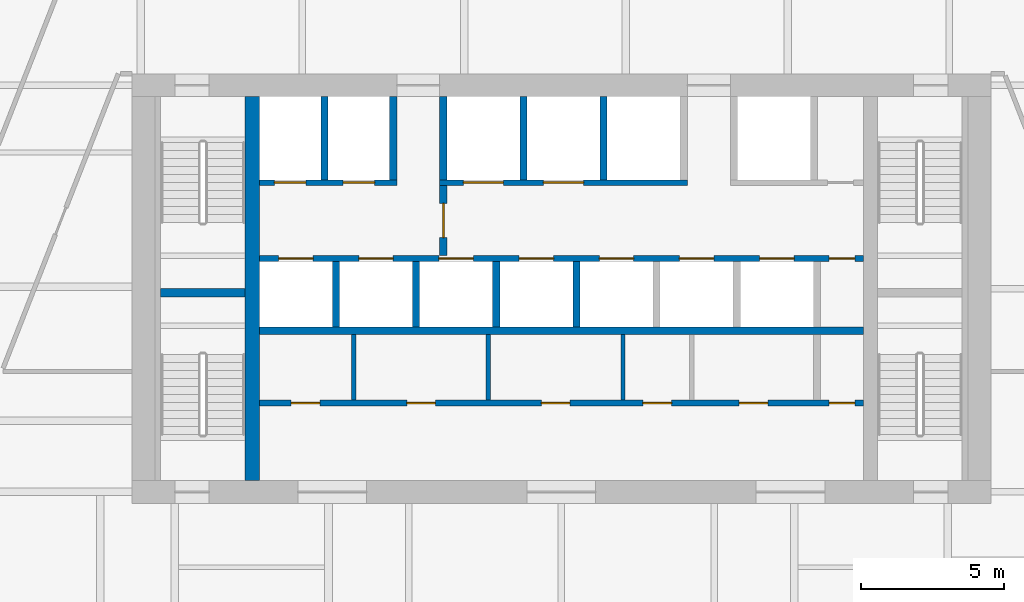
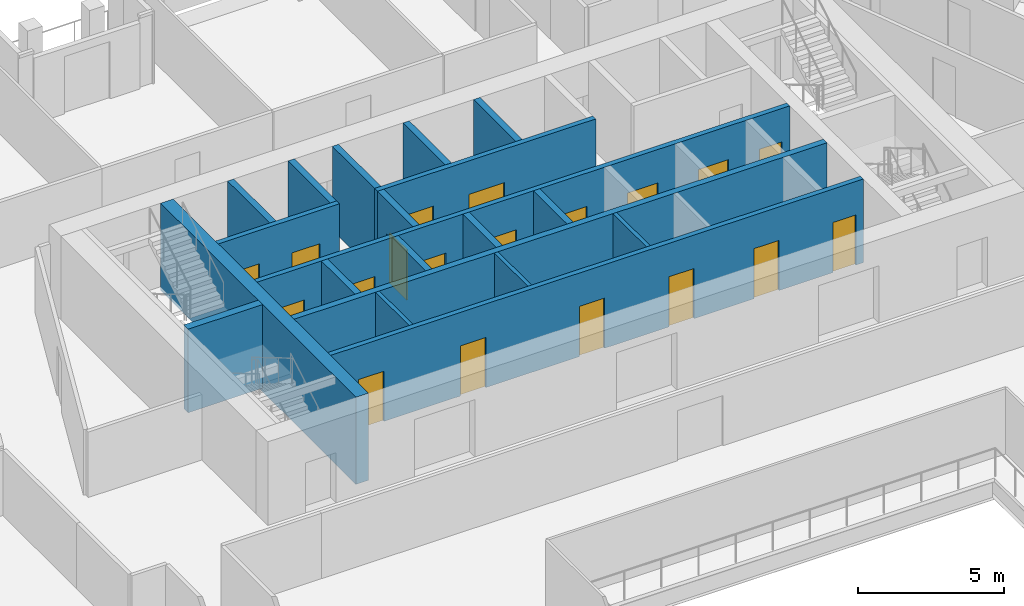
# One storey, part 20 of 26: 20 walls, 19 doors, 19 openings.
"""IFC4 building model written with IfcOpenShell, lengths in metres."""

from ifc_helpers import new_model, si_unit, direction, frame, frame_2d, origin, place, context, subcontext, project, spatial, rectangle, extrude, material, layer, layer_set, type_object, element, fill, save


model = new_model("IFC4")

# Units and contexts
model_context = context("Model", 3, precision=1e-05, world=origin(), true_north=direction((0.0, 1.0)))
body_context = subcontext(model_context, "Body", "Model", "MODEL_VIEW")
ifc_project = project(units=[si_unit("LENGTHUNIT", "METRE"), si_unit("AREAUNIT", "SQUARE_METRE"), si_unit("VOLUMEUNIT", "CUBIC_METRE"), si_unit("PLANEANGLEUNIT", "RADIAN"), si_unit("MASSUNIT", "GRAM", prefix="KILO")], contexts=[model_context])

# Site, building, storey
site_placement = place(None, origin())
site = spatial("IfcSite", under=ifc_project, at=site_placement, CompositionType="ELEMENT")
building_placement = place(site_placement, origin())
building = spatial("IfcBuilding", under=site, at=building_placement, Name="Isthmus Gate Tower", CompositionType="ELEMENT")
storey_placement = place(building_placement, frame((0.0, 0.0, 129.800048828125)))
storey = spatial("IfcBuildingStorey", under=building, at=storey_placement, Name="L31", CompositionType="ELEMENT", Elevation=129.800048828125)

# Wall, opening, door
ifc_material_1 = material(Name="Fire-rated blockwork masonry, 15 MPa", Category="masonry")
ifc_layer_1 = layer(ifc_material_1, 0.25)
ifc_layer_set_1 = layer_set([ifc_layer_1], Name="FIRE-FIGHTING LOBBY WALL 250 90 MIN")
wall_type_1 = type_object("IfcWallType", Name="FIRE-FIGHTING LOBBY WALL 250 90 MIN", PredefinedType="PARTITIONING", material=ifc_layer_set_1)
wall_1_placement = place(storey_placement, frame((-4.125, 8.64990234375, 0.0), z_axis=(0.0, 0.0, 1.0), x_axis=(0.0, 1.0, 0.0)))
wall_1 = element("IfcWall", 1, at=wall_1_placement, inside=storey, type_object=wall_type_1, Name="L31 FIRE-FIGHTING LOBBY WALL 250 90 MIN", PredefinedType="PARTITIONING", context=body_context, shape_type="SweptSolid", body=[
    extrude(rectangle(XDim=2.4501953125, YDim=0.25, at=frame_2d((1.22509765625, 0.0))), origin(), (0.0, 0.0, 1.0), 3.5),
])
opening_1_placement = place(wall_1_placement, frame((0.625, 0.0, 0.0)))
opening_1 = element("IfcOpeningElement", 2, at=opening_1_placement, cuts=wall_1, Name="Opening DC-A10-01", PredefinedType="OPENING", context=body_context, shape_type="SweptSolid", body=[
    extrude(rectangle(XDim=1.199951171875, YDim=2.10009765625, at=frame_2d((0.60009765625, 1.050048828125))), frame((0.0, 0.135009765625, 0.0), z_axis=(0.0, -1.0, 0.0), x_axis=(1.0, 0.0, 0.0)), (0.0, 0.0, 1.0), 0.27001953125),
])
ifc_material_2 = material(Name="Steel door leaf, fire-rated", Category="steel")
door_type_1 = type_object("IfcDoorType", Name="LOBBY FIRE DOOR 1200 X 2100 90 MIN", OperationType="DOUBLE_DOOR_SINGLE_SWING", PredefinedType="DOOR", material=ifc_material_2)
door_1_placement = place(opening_1_placement, origin())
door_1 = element("IfcDoor", 3, at=door_1_placement, inside=storey, type_object=door_type_1, Name="Fire-fighting Lobby Door", OperationType="SINGLE_SWING_LEFT", OverallHeight=2.10009765625, OverallWidth=1.199951171875, PredefinedType="DOOR", context=body_context, shape_type="SweptSolid", body=[
    extrude(rectangle(XDim=1.199951171875, YDim=2.10009765625, at=frame_2d((0.60009765625, 1.050048828125))), frame((0.0, 0.02490234375, 0.0), z_axis=(0.0, -1.0, 0.0), x_axis=(1.0, 0.0, 0.0)), (0.0, 0.0, 1.0), 0.050048828125),
])
fill(opening_1, door_1)

# Walls
ifc_material_3 = material(Name="Concrete f'c 60 MPa", Category="concrete")
ifc_layer_2 = layer(ifc_material_3, 0.5)
ifc_layer_set_2 = layer_set([ifc_layer_2], Name="RC CORE SPINE WALL 500 F'C 60")
wall_type_2 = type_object("IfcWallType", Name="RC CORE SPINE WALL 500 F'C 60", PredefinedType="SOLIDWALL", material=ifc_layer_set_2)
wall_2_placement = place(storey_placement, frame((-10.800048828125, 0.800048828125, -0.150146484375), z_axis=(0.0, 0.0, 1.0), x_axis=(0.0, 1.0, 0.0)))
element("IfcWall", 4, at=wall_2_placement, inside=storey, type_object=wall_type_2, Name="str-corewall-L31-SPW", PredefinedType="SOLIDWALL", context=body_context, shape_type="SweptSolid", body=[
    extrude(rectangle(XDim=13.39990234375, YDim=0.5, at=frame_2d((6.699951171875, 0.0))), origin(), (0.0, 0.0, 1.0), 3.650146484375),
])
ifc_material_4 = material(Name="Gypsum board on steel studs, fire-rated", Category="steel")
ifc_layer_3 = layer(ifc_material_4, 0.14990234375)
ifc_layer_set_3 = layer_set([ifc_layer_3], Name="ROOM PARTITION 150 60 MIN")
wall_type_3 = type_object("IfcWallType", Name="ROOM PARTITION 150 60 MIN", PredefinedType="PARTITIONING", material=ifc_layer_set_3)
for number, where, z_axis, x_axis, name in (
    (5, (-7.25, 3.60009765625, 0.0), (0.0, 0.0, 1.0), (0.0, 1.0, 0.0), "L31 ROOM PARTITION 150 60 MIN"),
    (6, (-2.550048828125, 3.60009765625, 0.0), (0.0, 0.0, 1.0), (0.0, 1.0, 0.0), "L31 ROOM PARTITION 150 60 MIN"),
    (7, (2.14990234375, 3.60009765625, 0.0), (0.0, 0.0, 1.0), (0.0, 1.0, 0.0), "L31 ROOM PARTITION 150 60 MIN"),
):
    element("IfcWall", number, at=place(storey_placement, frame(where, z_axis=z_axis, x_axis=x_axis)), inside=storey, type_object=wall_type_3, Name=name, PredefinedType="PARTITIONING", context=body_context, shape_type="SweptSolid", body=[
        extrude(rectangle(XDim=2.2998046875, YDim=0.14990234375, at=frame_2d((1.14990234375, 0.0))), origin(), (0.0, 0.0, 1.0), 3.5),
    ])

# Wall, openings, doors
ifc_material_5 = material(Name="Fire-rated blockwork masonry, 15 MPa", Category="masonry")
ifc_layer_4 = layer(ifc_material_5, 0.199951171875)
ifc_layer_set_4 = layer_set([ifc_layer_4], Name="SHAFT FRONT WALL 200 120 MIN")
wall_type_4 = type_object("IfcWallType", Name="SHAFT FRONT WALL 200 120 MIN", PredefinedType="PARTITIONING", material=ifc_layer_set_4)
wall_3_placement = place(storey_placement, frame((-10.550048828125, 3.5, 0.0), z_axis=(0.0, 0.0, 1.0), x_axis=(1.0, 0.0, 0.0)))
wall_3 = element("IfcWall", 8, at=wall_3_placement, inside=storey, type_object=wall_type_4, Name="L31 SHAFT FRONT WALL 200 120 MIN", PredefinedType="PARTITIONING", context=body_context, shape_type="SweptSolid", body=[
    extrude(rectangle(XDim=21.10009765625, YDim=0.199951171875, at=frame_2d((10.550048828125, 0.0))), origin(), (0.0, 0.0, 1.0), 3.5),
])
opening_2_placement = place(wall_3_placement, frame((1.112548828125, 0.0, 0.0)))
opening_2 = element("IfcOpeningElement", 9, at=opening_2_placement, cuts=wall_3, Name="Opening DC-A10-02", PredefinedType="OPENING", context=body_context, shape_type="SweptSolid", body=[
    extrude(rectangle(XDim=1.0, YDim=2.10009765625, at=frame_2d((0.5, 1.050048828125))), frame((0.0, 0.10986328125, 0.0), z_axis=(0.0, -1.0, 0.0), x_axis=(1.0, 0.0, 0.0)), (0.0, 0.0, 1.0), 0.219970703125),
])
opening_3_placement = place(wall_3_placement, frame((5.14990234375, 0.0, 0.0)))
opening_3 = element("IfcOpeningElement", 10, at=opening_3_placement, cuts=wall_3, Name="Opening DC-A10-03", PredefinedType="OPENING", context=body_context, shape_type="SweptSolid", body=[
    extrude(rectangle(XDim=1.0, YDim=2.10009765625, at=frame_2d((0.5, 1.050048828125))), frame((0.0, 0.10986328125, 0.0), z_axis=(0.0, -1.0, 0.0), x_axis=(1.0, 0.0, 0.0)), (0.0, 0.0, 1.0), 0.219970703125),
])
opening_4_placement = place(wall_3_placement, frame((9.85009765625, 0.0, 0.0)))
opening_4 = element("IfcOpeningElement", 11, at=opening_4_placement, cuts=wall_3, Name="Opening DC-A10-04", PredefinedType="OPENING", context=body_context, shape_type="SweptSolid", body=[
    extrude(rectangle(XDim=1.0, YDim=2.10009765625, at=frame_2d((0.5, 1.050048828125))), frame((0.0, 0.10986328125, 0.0), z_axis=(0.0, -1.0, 0.0), x_axis=(1.0, 0.0, 0.0)), (0.0, 0.0, 1.0), 0.219970703125),
])
opening_5_placement = place(wall_3_placement, frame((13.39990234375, 0.0, 0.0)))
opening_5 = element("IfcOpeningElement", 12, at=opening_5_placement, cuts=wall_3, Name="Opening DC-A10-05", PredefinedType="OPENING", context=body_context, shape_type="SweptSolid", body=[
    extrude(rectangle(XDim=1.0, YDim=2.10009765625, at=frame_2d((0.5, 1.050048828125))), frame((0.0, 0.10986328125, 0.0), z_axis=(0.0, -1.0, 0.0), x_axis=(1.0, 0.0, 0.0)), (0.0, 0.0, 1.0), 0.219970703125),
])
opening_6_placement = place(wall_3_placement, frame((16.762451171875, 0.0, 0.0)))
opening_6 = element("IfcOpeningElement", 13, at=opening_6_placement, cuts=wall_3, Name="Opening DC-A10-06", PredefinedType="OPENING", context=body_context, shape_type="SweptSolid", body=[
    extrude(rectangle(XDim=1.0, YDim=2.10009765625, at=frame_2d((0.5, 1.050048828125))), frame((0.0, 0.10986328125, 0.0), z_axis=(0.0, -1.0, 0.0), x_axis=(1.0, 0.0, 0.0)), (0.0, 0.0, 1.0), 0.219970703125),
])
opening_7_placement = place(wall_3_placement, frame((19.89990234375, 0.0, 0.0)))
opening_7 = element("IfcOpeningElement", 14, at=opening_7_placement, cuts=wall_3, Name="Opening DC-A10-07", PredefinedType="OPENING", context=body_context, shape_type="SweptSolid", body=[
    extrude(rectangle(XDim=0.89990234375, YDim=2.10009765625, at=frame_2d((0.449951171875, 1.050048828125))), frame((0.0, 0.10986328125, 0.0), z_axis=(0.0, -1.0, 0.0), x_axis=(1.0, 0.0, 0.0)), (0.0, 0.0, 1.0), 0.219970703125),
])
ifc_material_6 = material(Name="Steel door leaf, fire-rated", Category="steel")
door_type_2 = type_object("IfcDoorType", Name="FIRE DOOR 1000 X 2100 60 MIN", OperationType="SINGLE_SWING_LEFT", PredefinedType="DOOR", material=ifc_material_6)
door_2_placement = place(opening_2_placement, origin())
door_2 = element("IfcDoor", 15, at=door_2_placement, inside=storey, type_object=door_type_2, Name="Janitor Store Door", OperationType="SINGLE_SWING_LEFT", OverallHeight=2.10009765625, OverallWidth=1.0, PredefinedType="DOOR", context=body_context, shape_type="SweptSolid", body=[
    extrude(rectangle(XDim=1.0, YDim=2.10009765625, at=frame_2d((0.5, 1.050048828125))), frame((0.0, 0.02490234375, 0.0), z_axis=(0.0, -1.0, 0.0), x_axis=(1.0, 0.0, 0.0)), (0.0, 0.0, 1.0), 0.050048828125),
])
fill(opening_2, door_2)
door_3_placement = place(opening_3_placement, origin())
door_3 = element("IfcDoor", 16, at=door_3_placement, inside=storey, type_object=door_type_2, Name="WC Women Door", OperationType="SINGLE_SWING_RIGHT", OverallHeight=2.10009765625, OverallWidth=1.0, PredefinedType="DOOR", context=body_context, shape_type="SweptSolid", body=[
    extrude(rectangle(XDim=1.0, YDim=2.10009765625, at=frame_2d((0.5, 1.050048828125))), frame((0.0, 0.02490234375, 0.0), z_axis=(0.0, -1.0, 0.0), x_axis=(1.0, 0.0, 0.0)), (0.0, 0.0, 1.0), 0.050048828125),
])
fill(opening_3, door_3)
door_4_placement = place(opening_4_placement, origin())
door_4 = element("IfcDoor", 17, at=door_4_placement, inside=storey, type_object=door_type_2, Name="WC Men Door", OperationType="SINGLE_SWING_LEFT", OverallHeight=2.10009765625, OverallWidth=1.0, PredefinedType="DOOR", context=body_context, shape_type="SweptSolid", body=[
    extrude(rectangle(XDim=1.0, YDim=2.10009765625, at=frame_2d((0.5, 1.050048828125))), frame((0.0, 0.02490234375, 0.0), z_axis=(0.0, -1.0, 0.0), x_axis=(1.0, 0.0, 0.0)), (0.0, 0.0, 1.0), 0.050048828125),
])
fill(opening_4, door_4)
door_5_placement = place(opening_5_placement, origin())
door_5 = element("IfcDoor", 18, at=door_5_placement, inside=storey, type_object=door_type_2, Name="Accessible WC Door", OperationType="SINGLE_SWING_RIGHT", OverallHeight=2.10009765625, OverallWidth=1.0, PredefinedType="DOOR", context=body_context, shape_type="SweptSolid", body=[
    extrude(rectangle(XDim=1.0, YDim=2.10009765625, at=frame_2d((0.5, 1.050048828125))), frame((0.0, 0.02490234375, 0.0), z_axis=(0.0, -1.0, 0.0), x_axis=(1.0, 0.0, 0.0)), (0.0, 0.0, 1.0), 0.050048828125),
])
fill(opening_5, door_5)
door_6_placement = place(opening_6_placement, origin())
door_6 = element("IfcDoor", 19, at=door_6_placement, inside=storey, type_object=door_type_2, Name="Print Room Door", OperationType="SINGLE_SWING_LEFT", OverallHeight=2.10009765625, OverallWidth=1.0, PredefinedType="DOOR", context=body_context, shape_type="SweptSolid", body=[
    extrude(rectangle(XDim=1.0, YDim=2.10009765625, at=frame_2d((0.5, 1.050048828125))), frame((0.0, 0.02490234375, 0.0), z_axis=(0.0, -1.0, 0.0), x_axis=(1.0, 0.0, 0.0)), (0.0, 0.0, 1.0), 0.050048828125),
])
fill(opening_6, door_6)
ifc_material_7 = material(Name="Steel door leaf, fire-rated", Category="steel")
door_type_3 = type_object("IfcDoorType", Name="RISER FIRE DOOR 900 X 2100 90 MIN", OperationType="SINGLE_SWING_LEFT", PredefinedType="DOOR", material=ifc_material_7)
door_7_placement = place(opening_7_placement, origin())
door_7 = element("IfcDoor", 20, at=door_7_placement, inside=storey, type_object=door_type_3, Name="Riser Door", OperationType="SINGLE_SWING_RIGHT", OverallHeight=2.10009765625, OverallWidth=0.89990234375, PredefinedType="DOOR", context=body_context, shape_type="SweptSolid", body=[
    extrude(rectangle(XDim=0.89990234375, YDim=2.10009765625, at=frame_2d((0.449951171875, 1.050048828125))), frame((0.0, 0.02490234375, 0.0), z_axis=(0.0, -1.0, 0.0), x_axis=(1.0, 0.0, 0.0)), (0.0, 0.0, 1.0), 0.050048828125),
])
fill(opening_7, door_7)

wall_4_placement = place(storey_placement, frame((-10.550048828125, 8.550048828125, 0.0), z_axis=(0.0, 0.0, 1.0), x_axis=(1.0, 0.0, 0.0)))
wall_4 = element("IfcWall", 21, at=wall_4_placement, inside=storey, type_object=wall_type_4, Name="L31 SHAFT FRONT WALL 200 120 MIN", PredefinedType="PARTITIONING", context=body_context, shape_type="SweptSolid", body=[
    extrude(rectangle(XDim=21.10009765625, YDim=0.199951171875, at=frame_2d((10.550048828125, 0.0))), origin(), (0.0, 0.0, 1.0), 3.5),
])
opening_8_placement = place(wall_4_placement, frame((0.675048828125, 0.0, 0.0)))
opening_8 = element("IfcOpeningElement", 22, at=opening_8_placement, cuts=wall_4, Name="Opening LD-LB1", PredefinedType="OPENING", context=body_context, shape_type="SweptSolid", body=[
    extrude(rectangle(XDim=1.199951171875, YDim=2.10009765625, at=frame_2d((0.60009765625, 1.050048828125))), frame((0.0, 0.10986328125, 0.0), z_axis=(0.0, -1.0, 0.0), x_axis=(1.0, 0.0, 0.0)), (0.0, 0.0, 1.0), 0.219970703125),
])
opening_9_placement = place(wall_4_placement, frame((3.47509765625, 0.0, 0.0)))
opening_9 = element("IfcOpeningElement", 23, at=opening_9_placement, cuts=wall_4, Name="Opening LD-LB2", PredefinedType="OPENING", context=body_context, shape_type="SweptSolid", body=[
    extrude(rectangle(XDim=1.199951171875, YDim=2.10009765625, at=frame_2d((0.60009765625, 1.050048828125))), frame((0.0, 0.10986328125, 0.0), z_axis=(0.0, -1.0, 0.0), x_axis=(1.0, 0.0, 0.0)), (0.0, 0.0, 1.0), 0.219970703125),
])
opening_10_placement = place(wall_4_placement, frame((6.27490234375, 0.0, 0.0)))
opening_10 = element("IfcOpeningElement", 24, at=opening_10_placement, cuts=wall_4, Name="Opening LD-LB3", PredefinedType="OPENING", context=body_context, shape_type="SweptSolid", body=[
    extrude(rectangle(XDim=1.199951171875, YDim=2.10009765625, at=frame_2d((0.60009765625, 1.050048828125))), frame((0.0, 0.10986328125, 0.0), z_axis=(0.0, -1.0, 0.0), x_axis=(1.0, 0.0, 0.0)), (0.0, 0.0, 1.0), 0.219970703125),
])
opening_11_placement = place(wall_4_placement, frame((9.074951171875, 0.0, 0.0)))
opening_11 = element("IfcOpeningElement", 25, at=opening_11_placement, cuts=wall_4, Name="Opening LD-LB4", PredefinedType="OPENING", context=body_context, shape_type="SweptSolid", body=[
    extrude(rectangle(XDim=1.199951171875, YDim=2.10009765625, at=frame_2d((0.60009765625, 1.050048828125))), frame((0.0, 0.10986328125, 0.0), z_axis=(0.0, -1.0, 0.0), x_axis=(1.0, 0.0, 0.0)), (0.0, 0.0, 1.0), 0.219970703125),
])
opening_12_placement = place(wall_4_placement, frame((11.875, 0.0, 0.0)))
opening_12 = element("IfcOpeningElement", 26, at=opening_12_placement, cuts=wall_4, Name="Opening LD-LB5", PredefinedType="OPENING", context=body_context, shape_type="SweptSolid", body=[
    extrude(rectangle(XDim=1.199951171875, YDim=2.10009765625, at=frame_2d((0.60009765625, 1.050048828125))), frame((0.0, 0.10986328125, 0.0), z_axis=(0.0, -1.0, 0.0), x_axis=(1.0, 0.0, 0.0)), (0.0, 0.0, 1.0), 0.219970703125),
])
opening_13_placement = place(wall_4_placement, frame((14.675048828125, 0.0, 0.0)))
opening_13 = element("IfcOpeningElement", 27, at=opening_13_placement, cuts=wall_4, Name="Opening LD-LB6", PredefinedType="OPENING", context=body_context, shape_type="SweptSolid", body=[
    extrude(rectangle(XDim=1.199951171875, YDim=2.10009765625, at=frame_2d((0.60009765625, 1.050048828125))), frame((0.0, 0.10986328125, 0.0), z_axis=(0.0, -1.0, 0.0), x_axis=(1.0, 0.0, 0.0)), (0.0, 0.0, 1.0), 0.219970703125),
])
opening_14_placement = place(wall_4_placement, frame((17.47509765625, 0.0, 0.0)))
opening_14 = element("IfcOpeningElement", 28, at=opening_14_placement, cuts=wall_4, Name="Opening LD-LB7", PredefinedType="OPENING", context=body_context, shape_type="SweptSolid", body=[
    extrude(rectangle(XDim=1.199951171875, YDim=2.10009765625, at=frame_2d((0.60009765625, 1.050048828125))), frame((0.0, 0.10986328125, 0.0), z_axis=(0.0, -1.0, 0.0), x_axis=(1.0, 0.0, 0.0)), (0.0, 0.0, 1.0), 0.219970703125),
])
opening_15_placement = place(wall_4_placement, frame((19.89990234375, 0.0, 0.0)))
opening_15 = element("IfcOpeningElement", 29, at=opening_15_placement, cuts=wall_4, Name="Opening DC-A10-08", PredefinedType="OPENING", context=body_context, shape_type="SweptSolid", body=[
    extrude(rectangle(XDim=0.89990234375, YDim=2.10009765625, at=frame_2d((0.449951171875, 1.050048828125))), frame((0.0, 0.10986328125, 0.0), z_axis=(0.0, -1.0, 0.0), x_axis=(1.0, 0.0, 0.0)), (0.0, 0.0, 1.0), 0.219970703125),
])
ifc_material_8 = material(Name="Stainless steel sliding leaf", Category="steel")
door_type_4 = type_object("IfcDoorType", Name="LIFT LANDING FIRE DOOR 1200 X 2100 90 MIN", OperationType="DOUBLE_DOOR_SLIDING", PredefinedType="DOOR", material=ifc_material_8)
door_8_placement = place(opening_8_placement, origin())
door_8 = element("IfcDoor", 30, at=door_8_placement, inside=storey, type_object=door_type_4, Name="Lift Landing Door LB1", OperationType="DOUBLE_DOOR_SLIDING", OverallHeight=2.10009765625, OverallWidth=1.199951171875, PredefinedType="DOOR", context=body_context, shape_type="SweptSolid", body=[
    extrude(rectangle(XDim=1.199951171875, YDim=2.10009765625, at=frame_2d((0.60009765625, 1.050048828125))), frame((0.0, 0.02490234375, 0.0), z_axis=(0.0, -1.0, 0.0), x_axis=(1.0, 0.0, 0.0)), (0.0, 0.0, 1.0), 0.050048828125),
])
fill(opening_8, door_8)
door_9_placement = place(opening_9_placement, origin())
door_9 = element("IfcDoor", 31, at=door_9_placement, inside=storey, type_object=door_type_4, Name="Lift Landing Door LB2", OperationType="DOUBLE_DOOR_SLIDING", OverallHeight=2.10009765625, OverallWidth=1.199951171875, PredefinedType="DOOR", context=body_context, shape_type="SweptSolid", body=[
    extrude(rectangle(XDim=1.199951171875, YDim=2.10009765625, at=frame_2d((0.60009765625, 1.050048828125))), frame((0.0, 0.02490234375, 0.0), z_axis=(0.0, -1.0, 0.0), x_axis=(1.0, 0.0, 0.0)), (0.0, 0.0, 1.0), 0.050048828125),
])
fill(opening_9, door_9)
door_10_placement = place(opening_10_placement, origin())
door_10 = element("IfcDoor", 32, at=door_10_placement, inside=storey, type_object=door_type_4, Name="Lift Landing Door LB3", OperationType="DOUBLE_DOOR_SLIDING", OverallHeight=2.10009765625, OverallWidth=1.199951171875, PredefinedType="DOOR", context=body_context, shape_type="SweptSolid", body=[
    extrude(rectangle(XDim=1.199951171875, YDim=2.10009765625, at=frame_2d((0.60009765625, 1.050048828125))), frame((0.0, 0.02490234375, 0.0), z_axis=(0.0, -1.0, 0.0), x_axis=(1.0, 0.0, 0.0)), (0.0, 0.0, 1.0), 0.050048828125),
])
fill(opening_10, door_10)
door_11_placement = place(opening_11_placement, origin())
door_11 = element("IfcDoor", 33, at=door_11_placement, inside=storey, type_object=door_type_4, Name="Lift Landing Door LB4", OperationType="DOUBLE_DOOR_SLIDING", OverallHeight=2.10009765625, OverallWidth=1.199951171875, PredefinedType="DOOR", context=body_context, shape_type="SweptSolid", body=[
    extrude(rectangle(XDim=1.199951171875, YDim=2.10009765625, at=frame_2d((0.60009765625, 1.050048828125))), frame((0.0, 0.02490234375, 0.0), z_axis=(0.0, -1.0, 0.0), x_axis=(1.0, 0.0, 0.0)), (0.0, 0.0, 1.0), 0.050048828125),
])
fill(opening_11, door_11)
door_12_placement = place(opening_12_placement, origin())
door_12 = element("IfcDoor", 34, at=door_12_placement, inside=storey, type_object=door_type_4, Name="Lift Landing Door LB5", OperationType="DOUBLE_DOOR_SLIDING", OverallHeight=2.10009765625, OverallWidth=1.199951171875, PredefinedType="DOOR", context=body_context, shape_type="SweptSolid", body=[
    extrude(rectangle(XDim=1.199951171875, YDim=2.10009765625, at=frame_2d((0.60009765625, 1.050048828125))), frame((0.0, 0.02490234375, 0.0), z_axis=(0.0, -1.0, 0.0), x_axis=(1.0, 0.0, 0.0)), (0.0, 0.0, 1.0), 0.050048828125),
])
fill(opening_12, door_12)
door_13_placement = place(opening_13_placement, origin())
door_13 = element("IfcDoor", 35, at=door_13_placement, inside=storey, type_object=door_type_4, Name="Lift Landing Door LB6", OperationType="DOUBLE_DOOR_SLIDING", OverallHeight=2.10009765625, OverallWidth=1.199951171875, PredefinedType="DOOR", context=body_context, shape_type="SweptSolid", body=[
    extrude(rectangle(XDim=1.199951171875, YDim=2.10009765625, at=frame_2d((0.60009765625, 1.050048828125))), frame((0.0, 0.02490234375, 0.0), z_axis=(0.0, -1.0, 0.0), x_axis=(1.0, 0.0, 0.0)), (0.0, 0.0, 1.0), 0.050048828125),
])
fill(opening_13, door_13)
door_14_placement = place(opening_14_placement, origin())
door_14 = element("IfcDoor", 36, at=door_14_placement, inside=storey, type_object=door_type_4, Name="Lift Landing Door LB7", OperationType="DOUBLE_DOOR_SLIDING", OverallHeight=2.10009765625, OverallWidth=1.199951171875, PredefinedType="DOOR", context=body_context, shape_type="SweptSolid", body=[
    extrude(rectangle(XDim=1.199951171875, YDim=2.10009765625, at=frame_2d((0.60009765625, 1.050048828125))), frame((0.0, 0.02490234375, 0.0), z_axis=(0.0, -1.0, 0.0), x_axis=(1.0, 0.0, 0.0)), (0.0, 0.0, 1.0), 0.050048828125),
])
fill(opening_14, door_14)
door_15_placement = place(opening_15_placement, origin())
door_15 = element("IfcDoor", 37, at=door_15_placement, inside=storey, type_object=door_type_3, Name="Riser Door", OperationType="SINGLE_SWING_RIGHT", OverallHeight=2.10009765625, OverallWidth=0.89990234375, PredefinedType="DOOR", context=body_context, shape_type="SweptSolid", body=[
    extrude(rectangle(XDim=0.89990234375, YDim=2.10009765625, at=frame_2d((0.449951171875, 1.050048828125))), frame((0.0, 0.02490234375, 0.0), z_axis=(0.0, -1.0, 0.0), x_axis=(1.0, 0.0, 0.0)), (0.0, 0.0, 1.0), 0.050048828125),
])
fill(opening_15, door_15)

wall_5_placement = place(storey_placement, frame((-10.550048828125, 11.199951171875, 0.0), z_axis=(0.0, 0.0, 1.0), x_axis=(1.0, 0.0, 0.0)))
wall_5 = element("IfcWall", 38, at=wall_5_placement, inside=storey, type_object=wall_type_4, Name="L31 SHAFT FRONT WALL 200 120 MIN", PredefinedType="PARTITIONING", context=body_context, shape_type="SweptSolid", body=[
    extrude(rectangle(XDim=4.800048828125, YDim=0.199951171875, at=frame_2d((2.39990234375, 0.0))), origin(), (0.0, 0.0, 1.0), 3.5),
])
opening_16_placement = place(wall_5_placement, frame((0.52490234375, 0.0, 0.0)))
opening_16 = element("IfcOpeningElement", 39, at=opening_16_placement, cuts=wall_5, Name="Opening LD-LF1", PredefinedType="OPENING", context=body_context, shape_type="SweptSolid", body=[
    extrude(rectangle(XDim=1.10009765625, YDim=2.10009765625, at=frame_2d((0.550048828125, 1.050048828125))), frame((0.0, 0.10986328125, 0.0), z_axis=(0.0, -1.0, 0.0), x_axis=(1.0, 0.0, 0.0)), (0.0, 0.0, 1.0), 0.219970703125),
])
opening_17_placement = place(wall_5_placement, frame((2.925048828125, 0.0, 0.0)))
opening_17 = element("IfcOpeningElement", 40, at=opening_17_placement, cuts=wall_5, Name="Opening LD-LF2", PredefinedType="OPENING", context=body_context, shape_type="SweptSolid", body=[
    extrude(rectangle(XDim=1.10009765625, YDim=2.10009765625, at=frame_2d((0.550048828125, 1.050048828125))), frame((0.0, 0.10986328125, 0.0), z_axis=(0.0, -1.0, 0.0), x_axis=(1.0, 0.0, 0.0)), (0.0, 0.0, 1.0), 0.219970703125),
])
ifc_material_9 = material(Name="Stainless steel sliding leaf", Category="steel")
door_type_5 = type_object("IfcDoorType", Name="LIFT LANDING FIRE DOOR 1100 X 2100 90 MIN", OperationType="DOUBLE_DOOR_SLIDING", PredefinedType="DOOR", material=ifc_material_9)
door_16_placement = place(opening_16_placement, origin())
door_16 = element("IfcDoor", 41, at=door_16_placement, inside=storey, type_object=door_type_5, Name="Lift Landing Door LF1", OperationType="DOUBLE_DOOR_SLIDING", OverallHeight=2.10009765625, OverallWidth=1.10009765625, PredefinedType="DOOR", context=body_context, shape_type="SweptSolid", body=[
    extrude(rectangle(XDim=1.10009765625, YDim=2.10009765625, at=frame_2d((0.550048828125, 1.050048828125))), frame((0.0, 0.02490234375, 0.0), z_axis=(0.0, -1.0, 0.0), x_axis=(1.0, 0.0, 0.0)), (0.0, 0.0, 1.0), 0.050048828125),
])
fill(opening_16, door_16)
door_17_placement = place(opening_17_placement, origin())
door_17 = element("IfcDoor", 42, at=door_17_placement, inside=storey, type_object=door_type_5, Name="Lift Landing Door LF2", OperationType="DOUBLE_DOOR_SLIDING", OverallHeight=2.10009765625, OverallWidth=1.10009765625, PredefinedType="DOOR", context=body_context, shape_type="SweptSolid", body=[
    extrude(rectangle(XDim=1.10009765625, YDim=2.10009765625, at=frame_2d((0.550048828125, 1.050048828125))), frame((0.0, 0.02490234375, 0.0), z_axis=(0.0, -1.0, 0.0), x_axis=(1.0, 0.0, 0.0)), (0.0, 0.0, 1.0), 0.050048828125),
])
fill(opening_17, door_17)

wall_6_placement = place(storey_placement, frame((-4.25, 11.199951171875, 0.0), z_axis=(0.0, 0.0, 1.0), x_axis=(1.0, 0.0, 0.0)))
wall_6 = element("IfcWall", 43, at=wall_6_placement, inside=storey, type_object=wall_type_4, Name="L31 SHAFT FRONT WALL 200 120 MIN", PredefinedType="PARTITIONING", context=body_context, shape_type="SweptSolid", body=[
    extrude(rectangle(XDim=8.64990234375, YDim=0.199951171875, at=frame_2d((4.324951171875, 0.0))), origin(), (0.0, 0.0, 1.0), 3.5),
])
opening_18_placement = place(wall_6_placement, frame((0.824951171875, 0.0, 0.0)))
opening_18 = element("IfcOpeningElement", 44, at=opening_18_placement, cuts=wall_6, Name="Opening LD-LV1", PredefinedType="OPENING", context=body_context, shape_type="SweptSolid", body=[
    extrude(rectangle(XDim=1.39990234375, YDim=2.10009765625, at=frame_2d((0.699951171875, 1.050048828125))), frame((0.0, 0.10986328125, 0.0), z_axis=(0.0, -1.0, 0.0), x_axis=(1.0, 0.0, 0.0)), (0.0, 0.0, 1.0), 0.219970703125),
])
opening_19_placement = place(wall_6_placement, frame((3.625, 0.0, 0.0)))
opening_19 = element("IfcOpeningElement", 45, at=opening_19_placement, cuts=wall_6, Name="Opening LD-LV2", PredefinedType="OPENING", context=body_context, shape_type="SweptSolid", body=[
    extrude(rectangle(XDim=1.39990234375, YDim=2.10009765625, at=frame_2d((0.699951171875, 1.050048828125))), frame((0.0, 0.10986328125, 0.0), z_axis=(0.0, -1.0, 0.0), x_axis=(1.0, 0.0, 0.0)), (0.0, 0.0, 1.0), 0.219970703125),
])
ifc_material_10 = material(Name="Stainless steel sliding leaf", Category="steel")
door_type_6 = type_object("IfcDoorType", Name="LIFT LANDING FIRE DOOR 1400 X 2100 90 MIN", OperationType="DOUBLE_DOOR_SLIDING", PredefinedType="DOOR", material=ifc_material_10)
door_18_placement = place(opening_18_placement, origin())
door_18 = element("IfcDoor", 46, at=door_18_placement, inside=storey, type_object=door_type_6, Name="Lift Landing Door LV1", OperationType="DOUBLE_DOOR_SLIDING", OverallHeight=2.10009765625, OverallWidth=1.39990234375, PredefinedType="DOOR", context=body_context, shape_type="SweptSolid", body=[
    extrude(rectangle(XDim=1.39990234375, YDim=2.10009765625, at=frame_2d((0.699951171875, 1.050048828125))), frame((0.0, 0.02490234375, 0.0), z_axis=(0.0, -1.0, 0.0), x_axis=(1.0, 0.0, 0.0)), (0.0, 0.0, 1.0), 0.050048828125),
])
fill(opening_18, door_18)
door_19_placement = place(opening_19_placement, origin())
door_19 = element("IfcDoor", 47, at=door_19_placement, inside=storey, type_object=door_type_6, Name="Lift Landing Door LV2", OperationType="DOUBLE_DOOR_SLIDING", OverallHeight=2.10009765625, OverallWidth=1.39990234375, PredefinedType="DOOR", context=body_context, shape_type="SweptSolid", body=[
    extrude(rectangle(XDim=1.39990234375, YDim=2.10009765625, at=frame_2d((0.699951171875, 1.050048828125))), frame((0.0, 0.02490234375, 0.0), z_axis=(0.0, -1.0, 0.0), x_axis=(1.0, 0.0, 0.0)), (0.0, 0.0, 1.0), 0.050048828125),
])
fill(opening_19, door_19)

# Walls
ifc_material_11 = material(Name="Fire-rated blockwork masonry, 15 MPa", Category="masonry")
ifc_layer_5 = layer(ifc_material_11, 0.25)
ifc_layer_set_5 = layer_set([ifc_layer_5], Name="SHAFT WALL 250 120 MIN")
wall_type_5 = type_object("IfcWallType", Name="SHAFT WALL 250 120 MIN", PredefinedType="PARTITIONING", material=ifc_layer_set_5)
wall_7_placement = place(storey_placement, frame((-10.550048828125, 6.02490234375, 0.0), z_axis=(0.0, 0.0, 1.0), x_axis=(1.0, 0.0, 0.0)))
element("IfcWall", 48, at=wall_7_placement, inside=storey, type_object=wall_type_5, Name="L31 SHAFT WALL 250 120 MIN", PredefinedType="PARTITIONING", context=body_context, shape_type="SweptSolid", body=[
    extrude(rectangle(XDim=21.10009765625, YDim=0.25, at=frame_2d((10.550048828125, 0.0))), origin(), (0.0, 0.0, 1.0), 3.5),
])
for number, where, z_axis, x_axis, name in (
    (49, (-7.875, 6.14990234375, 0.0), (0.0, 0.0, 1.0), (0.0, 1.0, 0.0), "L31 SHAFT WALL 250 120 MIN"),
    (50, (-5.074951171875, 6.14990234375, 0.0), (0.0, 0.0, 1.0), (0.0, 1.0, 0.0), "L31 SHAFT WALL 250 120 MIN"),
    (51, (-2.27490234375, 6.14990234375, 0.0), (0.0, 0.0, 1.0), (0.0, 1.0, 0.0), "L31 SHAFT WALL 250 120 MIN"),
    (52, (0.52490234375, 6.14990234375, 0.0), (0.0, 0.0, 1.0), (0.0, 1.0, 0.0), "L31 SHAFT WALL 250 120 MIN"),
):
    element("IfcWall", number, at=place(storey_placement, frame(where, z_axis=z_axis, x_axis=x_axis)), inside=storey, type_object=wall_type_5, Name=name, PredefinedType="PARTITIONING", context=body_context, shape_type="SweptSolid", body=[
        extrude(rectangle(XDim=2.300048828125, YDim=0.25, at=frame_2d((1.14990234375, 0.0))), origin(), (0.0, 0.0, 1.0), 3.5),
    ])
for number, where, z_axis, x_axis, name in (
    (53, (-8.27490234375, 11.300048828125, 0.0), (0.0, 0.0, 1.0), (0.0, 1.0, 0.0), "L31 SHAFT WALL 250 120 MIN"),
    (54, (-5.875, 11.300048828125, 0.0), (0.0, 0.0, 1.0), (0.0, 1.0, 0.0), "L31 SHAFT WALL 250 120 MIN"),
    (55, (-4.125, 11.300048828125, 0.0), (0.0, 0.0, 1.0), (0.0, 1.0, 0.0), "L31 SHAFT WALL 250 120 MIN"),
    (56, (-1.324951171875, 11.300048828125, 0.0), (0.0, 0.0, 1.0), (0.0, 1.0, 0.0), "L31 SHAFT WALL 250 120 MIN"),
    (57, (1.47509765625, 11.300048828125, 0.0), (0.0, 0.0, 1.0), (0.0, 1.0, 0.0), "L31 SHAFT WALL 250 120 MIN"),
):
    element("IfcWall", number, at=place(storey_placement, frame(where, z_axis=z_axis, x_axis=x_axis)), inside=storey, type_object=wall_type_5, Name=name, PredefinedType="PARTITIONING", context=body_context, shape_type="SweptSolid", body=[
        extrude(rectangle(XDim=2.89990234375, YDim=0.25, at=frame_2d((1.449951171875, 0.0))), origin(), (0.0, 0.0, 1.0), 3.5),
    ])
ifc_material_12 = material(Name="Concrete f'c 40 MPa", Category="concrete")
ifc_layer_6 = layer(ifc_material_12, 0.300048828125)
ifc_layer_set_6 = layer_set([ifc_layer_6], Name="STAIR ENCLOSURE WALL 300 180 MIN")
wall_type_6 = type_object("IfcWallType", Name="STAIR ENCLOSURE WALL 300 180 MIN", PredefinedType="SOLIDWALL", material=ifc_layer_set_6)
wall_8_placement = place(storey_placement, frame((-14.0, 7.35009765625, 0.0), z_axis=(0.0, 0.0, 1.0), x_axis=(1.0, 0.0, 0.0)))
element("IfcWall", 58, at=wall_8_placement, inside=storey, type_object=wall_type_6, Name="L31 STAIR ENCLOSURE WALL 300 180 MIN", PredefinedType="SOLIDWALL", context=body_context, shape_type="SweptSolid", body=[
    extrude(rectangle(XDim=2.949951171875, YDim=0.300048828125, at=frame_2d((1.47509765625, 0.0))), origin(), (0.0, 0.0, 1.0), 3.5),
])

save(model, "model.ifc")
